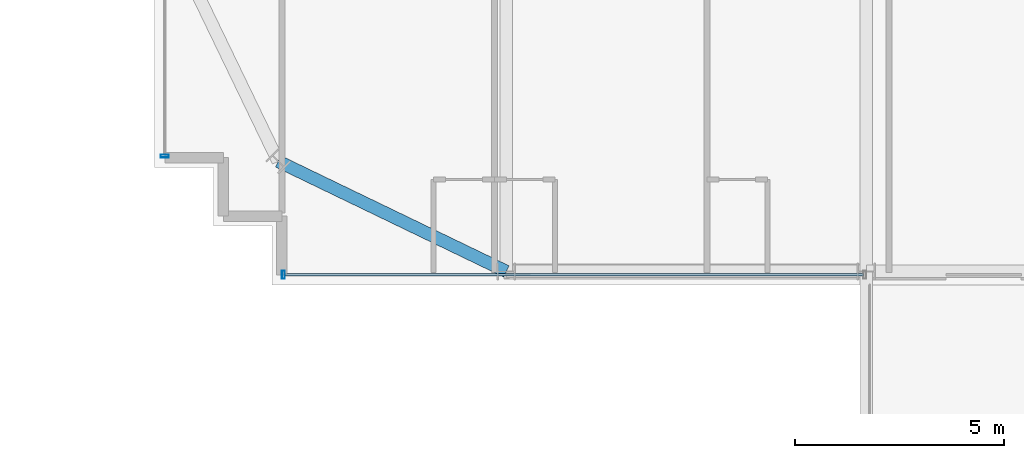
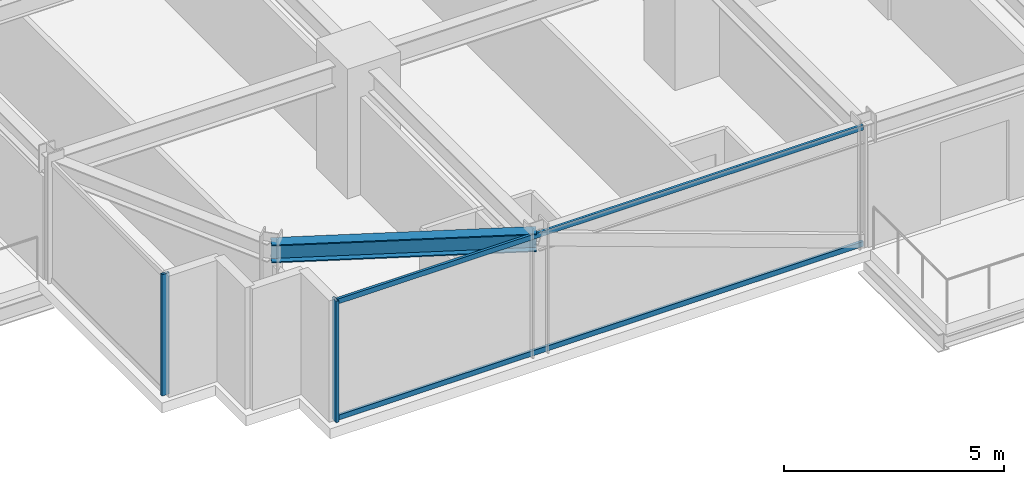
# One storey, part 3 of 38: 4 members, 1 beam, 2 elements without a shape of their own.
"""IFC4 building model written with IfcOpenShell, lengths in metres."""

from ifc_helpers import new_model, si_unit, direction, frame, origin, origin_2d, place, context, subcontext, project, spatial, hollow_rectangle, i_section, extrude, source, transform, mapped, material, material_profile, profile_set, type_object, element, aggregate, save


model = new_model("IFC4")

# Units and contexts
model_context = context("Model", 3, precision=1e-05, world=origin(), true_north=direction((0.0, 1.0)))
body_context = subcontext(model_context, "Body", "Model", "MODEL_VIEW")
ifc_project = project(units=[si_unit("LENGTHUNIT", "METRE"), si_unit("AREAUNIT", "SQUARE_METRE"), si_unit("VOLUMEUNIT", "CUBIC_METRE"), si_unit("PLANEANGLEUNIT", "RADIAN"), si_unit("MASSUNIT", "GRAM", prefix="KILO")], contexts=[model_context])

# Site, building, storey
site_placement = place(None, origin())
site = spatial("IfcSite", under=ifc_project, at=site_placement, CompositionType="ELEMENT")
building_placement = place(site_placement, origin())
building = spatial("IfcBuilding", under=site, at=building_placement, Name="Nahalor Promenade Grand Hotel", CompositionType="ELEMENT")
storey_placement = place(building_placement, frame((0.0, 0.0, 50.64990234375)))
storey = spatial("IfcBuildingStorey", under=building, at=storey_placement, Name="L11", CompositionType="ELEMENT", Elevation=50.64990234375)

# Beam
ifc_material_1 = material(Name="Steel S355JR", Category="steel")
ifc_material_profile_1 = material_profile(ifc_material_1, i_section(OverallWidth=0.3, OverallDepth=0.5, WebThickness=0.0145, FlangeThickness=0.028, at=origin_2d()), Name="HEB 500")
ifc_profile_set_1 = profile_set([ifc_material_profile_1], Name="Steel S355JR")
beam_type = type_object("IfcBeamType", Name="Beam-Spandrel-HEB500", PredefinedType="SPANDREL", material=ifc_profile_set_1)
shared_shape_1 = source(origin(), body_context, "Body", "SweptSolid", [
    extrude(i_section(OverallWidth=0.3, OverallDepth=0.5, WebThickness=0.0145, FlangeThickness=0.028, at=origin_2d()), origin(), (0.0, 0.0, 1.0), 6.051513671875),
])
beam_placement = place(storey_placement, frame((-17.0, -25.080078125, 3.1201171875), z_axis=(-0.900608818852, 0.434630596492, 0.0), x_axis=(-0.434630596492, -0.900608818852, 0.0)))
element("IfcBeam", 1, at=beam_placement, inside=storey, type_object=beam_type, Name="BM-L11-SPC-SW-1", PredefinedType="SPANDREL", context=body_context, shape_type="MappedRepresentation", body=[
    mapped(shared_shape_1, transform((0.0, 0.0, 0.0), scale=1.0)),
])

# Curtain wall, member
ifc_material_2 = material(Name="Anodised Bronze Aluminium EN AW-6063 T6", Category="aluminium")
curtain_wall_type = type_object("IfcCurtainWallType", Name="CW3 Elliptical-Void Collar Unitised Curtain Wall", PredefinedType="USERDEFINED", material=ifc_material_2)
curtain_wall_1_placement = place(storey_placement, origin())
curtain_wall_1 = element("IfcCurtainWall", 2, at=curtain_wall_1_placement, inside=storey, type_object=curtain_wall_type, Name="L11 Curtain Wall CW-L11-S-1", ObjectType="UNITISED_CURTAIN_WALL", PredefinedType="USERDEFINED")
ifc_material_profile_2 = material_profile(ifc_material_2, hollow_rectangle(XDim=0.07, YDim=0.2, WallThickness=0.005, at=origin_2d()), Name="CWM 70x200x5")
ifc_profile_set_2 = profile_set([ifc_material_profile_2], Name="Anodised Bronze Aluminium EN AW-6063 T6")
member_type_1 = type_object("IfcMemberType", Name="CWM3 Void Collar Mullion 70x200", PredefinedType="MULLION", material=ifc_profile_set_2)
shared_shape_2 = source(origin(), body_context, "Body", "SweptSolid", [
    extrude(hollow_rectangle(XDim=0.07, YDim=0.2, WallThickness=0.005, at=origin_2d()), origin(), (0.0, 0.0, 1.0), 3.3701171875),
])
member_1_placement = place(storey_placement, frame((-22.324951171875, -25.159912109375, 0.0), z_axis=(0.0, 0.0, 1.0), x_axis=(1.0, 0.0, 0.0)))
member_1 = element("IfcMember", 3, at=member_1_placement, type_object=member_type_1, Name="CW-L11-S-1 Mullion 0", PredefinedType="MULLION", context=body_context, shape_type="MappedRepresentation", body=[
    mapped(shared_shape_2, transform((0.0, 0.0, 0.0), scale=1.0)),
])

curtain_wall_2_placement = place(storey_placement, origin())
curtain_wall_2 = element("IfcCurtainWall", 4, at=curtain_wall_2_placement, inside=storey, type_object=curtain_wall_type, Name="L11 Curtain Wall CW-L11-W-1", ObjectType="UNITISED_CURTAIN_WALL", PredefinedType="USERDEFINED")
member_2_placement = place(storey_placement, frame((-25.159912109375, -22.324951171875, 0.0), z_axis=(0.0, 0.0, 1.0), x_axis=(0.0, 1.0, 0.0)))
member_2 = element("IfcMember", 5, at=member_2_placement, type_object=member_type_1, Name="CW-L11-W-1 Mullion 0", PredefinedType="MULLION", context=body_context, shape_type="MappedRepresentation", body=[
    mapped(shared_shape_2, transform((0.0, 0.0, 0.0), scale=1.0)),
])
aggregate(curtain_wall_2, [member_2])

# Member
ifc_material_profile_3 = material_profile(ifc_material_2, hollow_rectangle(XDim=0.07, YDim=0.14, WallThickness=0.004, at=origin_2d()), Name="CWT 70x140x4")
ifc_profile_set_3 = profile_set([ifc_material_profile_3], Name="Anodised Bronze Aluminium EN AW-6063 T6")
member_type_2 = type_object("IfcMemberType", Name="CWT3 Void Collar Transom 70x140", PredefinedType="USERDEFINED", material=ifc_profile_set_3)
shared_shape_3 = source(origin(), body_context, "Body", "SweptSolid", [
    extrude(hollow_rectangle(XDim=0.07, YDim=0.14, WallThickness=0.004, at=origin_2d()), origin(), (0.0, 0.0, 1.0), 13.820068359375),
])
member_3_placement = place(storey_placement, frame((-22.2900390625, -25.159912109375, 0.070068359375), z_axis=(1.0, 0.0, 0.0), x_axis=(0.0, 1.0, 0.0)))
member_3 = element("IfcMember", 6, at=member_3_placement, type_object=member_type_2, Name="CW-L11-S-1 Transom 0-0", ObjectType="TRANSOM", PredefinedType="USERDEFINED", context=body_context, shape_type="MappedRepresentation", body=[
    mapped(shared_shape_3, transform((0.0, 0.0, 0.0), scale=1.0)),
])

member_4_placement = place(storey_placement, frame((-22.2900390625, -25.159912109375, 3.300048828125), z_axis=(1.0, 0.0, 0.0), x_axis=(0.0, 1.0, 0.0)))
member_4 = element("IfcMember", 7, at=member_4_placement, type_object=member_type_2, Name="CW-L11-S-1 Transom 0-1", ObjectType="TRANSOM", PredefinedType="USERDEFINED", context=body_context, shape_type="MappedRepresentation", body=[
    mapped(shared_shape_3, transform((0.0, 0.0, 0.0), scale=1.0)),
])

aggregate(curtain_wall_1, [member_1, member_3, member_4])

save(model, "model.ifc")
